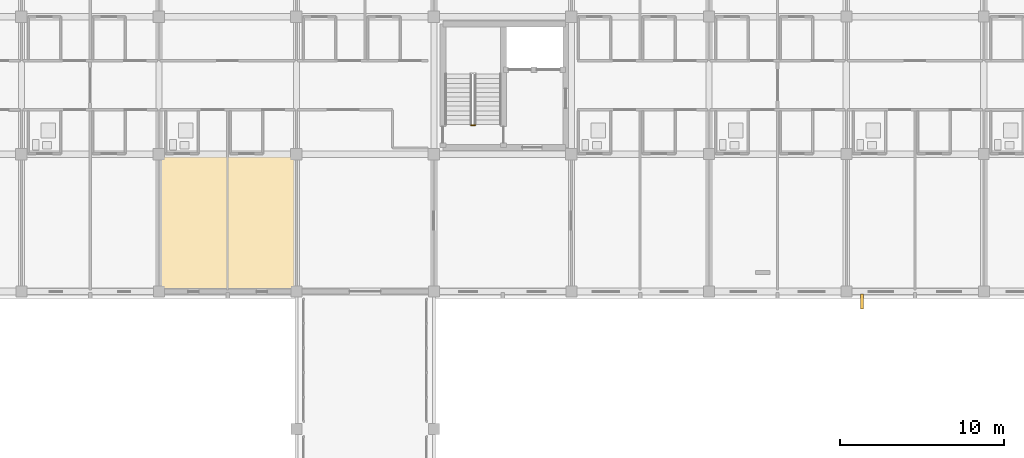
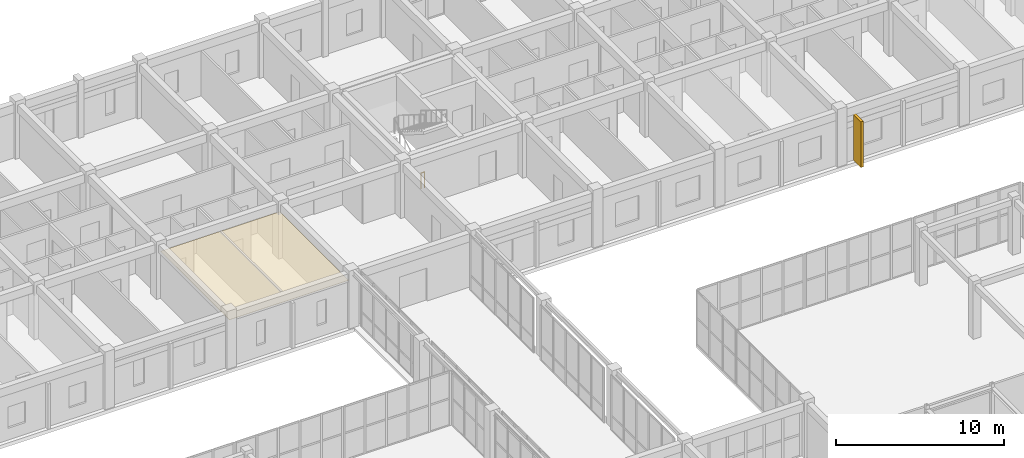
# One storey, part 136 of 140: 1 covering, 1 railing, 1 shading device.
"""IFC4 building model written with IfcOpenShell, lengths in metres."""

from ifc_helpers import new_model, si_unit, direction, frame, origin, origin_2d, place, context, subcontext, project, spatial, polyline, rectangle, circle, outline, extrude, material, layer, layer_set, type_object, element, save


model = new_model("IFC4")

# Units and contexts
model_context = context("Model", 3, precision=1e-05, world=origin(), true_north=direction((0.0, 1.0)))
body_context = subcontext(model_context, "Body", "Model", "MODEL_VIEW")
ifc_project = project(units=[si_unit("LENGTHUNIT", "METRE"), si_unit("AREAUNIT", "SQUARE_METRE"), si_unit("VOLUMEUNIT", "CUBIC_METRE"), si_unit("PLANEANGLEUNIT", "RADIAN"), si_unit("MASSUNIT", "GRAM", prefix="KILO")], contexts=[model_context])

# Site, building, storey
site_placement = place(None, origin())
site = spatial("IfcSite", under=ifc_project, at=site_placement, CompositionType="ELEMENT")
building_placement = place(site_placement, origin())
building = spatial("IfcBuilding", under=site, at=building_placement, Name="Trelvath General Hospital", CompositionType="ELEMENT")
storey_placement = place(building_placement, frame((0.0, 0.0, 16.199951171875)))
storey = spatial("IfcBuildingStorey", under=building, at=storey_placement, Name="L04", CompositionType="ELEMENT", Elevation=16.199951171875)

# Shading device
ifc_material_1 = material(Name="Precast concrete C40/50", Category="concrete")
shading_device_type = type_object("IfcShadingDeviceType", Name="BriseSoleil PrecastFin900", PredefinedType="JALOUSIE", material=ifc_material_1)
shading_device_placement = place(storey_placement, frame((110.1533203125, 91.794921875, 0.0), z_axis=(0.0, 0.0, 1.0), x_axis=(0.0, -1.0, 0.0)))
element("IfcShadingDevice", 1, at=shading_device_placement, inside=storey, type_object=shading_device_type, Name="Solar Brise-Soleil Screen L04-77", PredefinedType="JALOUSIE", context=body_context, shape_type="SweptSolid", body=[
    extrude(rectangle(XDim=0.89990234375, YDim=0.179931640625, at=origin_2d()), origin(), (0.0, 0.0, 1.0), 3.320068359375),
])

# Covering
ifc_material_2 = material(Name="Hygienic acoustic ceiling tile")
ifc_layer = layer(ifc_material_2, 0.02490234375)
ifc_layer_set = layer_set([ifc_layer], Name="Hygienic acoustic ceiling tile")
covering_type = type_object("IfcCoveringType", Name="Ceiling ClinicalAcoustic", PredefinedType="CEILING", material=ifc_layer_set)
covering_placement = place(storey_placement, frame((0.0, 0.0, 3.179931640625)))
element("IfcCovering", 2, at=covering_placement, inside=storey, type_object=covering_type, Name="Clinical Acoustic Ceiling L04-57", PredefinedType="CEILING", context=body_context, shape_type="SweptSolid", body=[
    extrude(outline(polyline([(67.300048828125, 92.5), (75.5, 92.5), (75.5, 100.719970703125), (67.300048828125, 100.719970703125), (67.300048828125, 92.5)])), origin(), (0.0, 0.0, 1.0), 0.025146484375),
])

# Railing
ifc_material_3 = material(Name="Architectural painted steel", Category="steel")
railing_type = type_object("IfcRailingType", Name="Guardrail Terrace1150", PredefinedType="GUARDRAIL", material=ifc_material_3)
railing_placement = place(storey_placement, frame((86.27001953125, 102.56005859375, 0.0)))
element("IfcRailing", 3, at=railing_placement, inside=storey, type_object=railing_type, Name="Stair Well Edge Guard C2 L04 72", PredefinedType="GUARDRAIL", context=body_context, shape_type="SweptSolid", body=[
    extrude(circle(Radius=0.02392578125, at=origin_2d()), frame((0.0, 0.0, 1.1259765625), z_axis=(1.0, 0.0, 0.0), x_axis=(0.0, 1.0, 0.0)), (0.0, 0.0, 1.0), 0.260009765625),
    extrude(circle(Radius=0.02099609375, at=origin_2d()), origin(), (0.0, 0.0, 1.0), 1.099853515625),
    extrude(circle(Radius=0.02099609375, at=origin_2d()), frame((0.260009765625, 0.0, 0.0)), (0.0, 0.0, 1.0), 1.099853515625),
])

save(model, "model.ifc")
